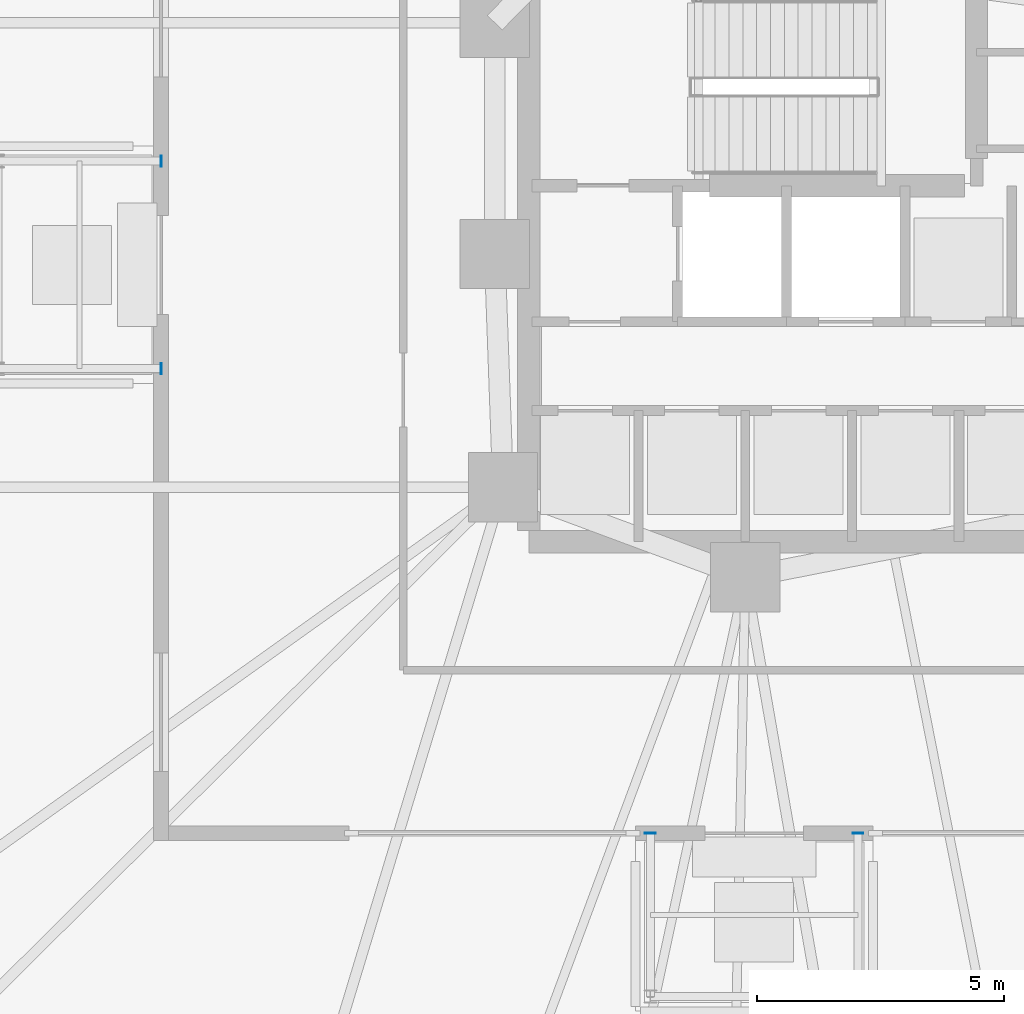
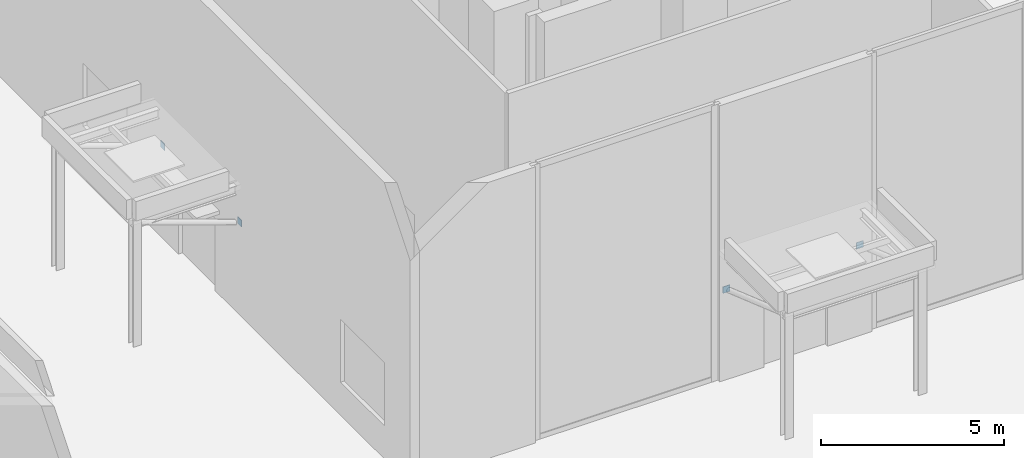
# One storey, part 13 of 24: 4 plates.
"""IFC4 building model written with IfcOpenShell, lengths in metres."""

from ifc_helpers import new_model, si_unit, direction, frame, origin, origin_2d, place, context, subcontext, project, spatial, rectangle, extrude, material, layer, layer_set, type_object, element, save


model = new_model("IFC4")

# Units and contexts
model_context = context("Model", 3, precision=1e-05, world=origin(), true_north=direction((0.0, 1.0)))
body_context = subcontext(model_context, "Body", "Model", "MODEL_VIEW")
ifc_project = project(units=[si_unit("LENGTHUNIT", "METRE"), si_unit("AREAUNIT", "SQUARE_METRE"), si_unit("VOLUMEUNIT", "CUBIC_METRE"), si_unit("PLANEANGLEUNIT", "RADIAN"), si_unit("MASSUNIT", "GRAM", prefix="KILO")], contexts=[model_context])

# Site, building, storey
site_placement = place(None, origin())
site = spatial("IfcSite", under=ifc_project, at=site_placement, CompositionType="ELEMENT")
building_placement = place(site_placement, origin())
building = spatial("IfcBuilding", under=site, at=building_placement, Name="Menara Jurai Vektor", CompositionType="ELEMENT")
storey_placement = place(building_placement, origin())
storey = spatial("IfcBuildingStorey", under=building, at=storey_placement, Name="L00", CompositionType="ELEMENT", Elevation=0.0)

# Plates
ifc_material = material(Name="Steel S355", Category="steel")
ifc_layer = layer(ifc_material, 0.02001953125)
ifc_layer_set = layer_set([ifc_layer], Name="Steel S355")
plate_type = type_object("IfcPlateType", Name="STR-PLT-ANCH20", PredefinedType="SHEET", material=ifc_layer_set)
for number, where, z_axis, x_axis, name in (
    (1, (-12.10009765625, -11.5, 2.7900390625), (0.0, 0.0, 1.0), (1.0, 0.0, 0.0), "Canopy Strut Anchor Plate E1-1"),
    (2, (-7.89990234375, -11.5, 2.7900390625), (0.0, 0.0, 1.0), (1.0, 0.0, 0.0), "Canopy Strut Anchor Plate E1-2"),
    (3, (-22.0, -2.10009765625, 2.7900390625), (0.0, 0.0, 1.0), (0.0, 1.0, 0.0), "Canopy Strut Anchor Plate E5-1"),
    (4, (-22.0, 2.10009765625, 2.7900390625), (0.0, 0.0, 1.0), (0.0, 1.0, 0.0), "Canopy Strut Anchor Plate E5-2"),
):
    element("IfcPlate", number, at=place(storey_placement, frame(where, z_axis=z_axis, x_axis=x_axis)), inside=storey, type_object=plate_type, Name=name, PredefinedType="SHEET", context=body_context, shape_type="SweptSolid", body=[
        extrude(rectangle(XDim=0.219970703125, YDim=0.02001953125, at=origin_2d()), origin(), (0.0, 0.0, 1.0), 0.219970703125),
    ])

save(model, "model.ifc")
